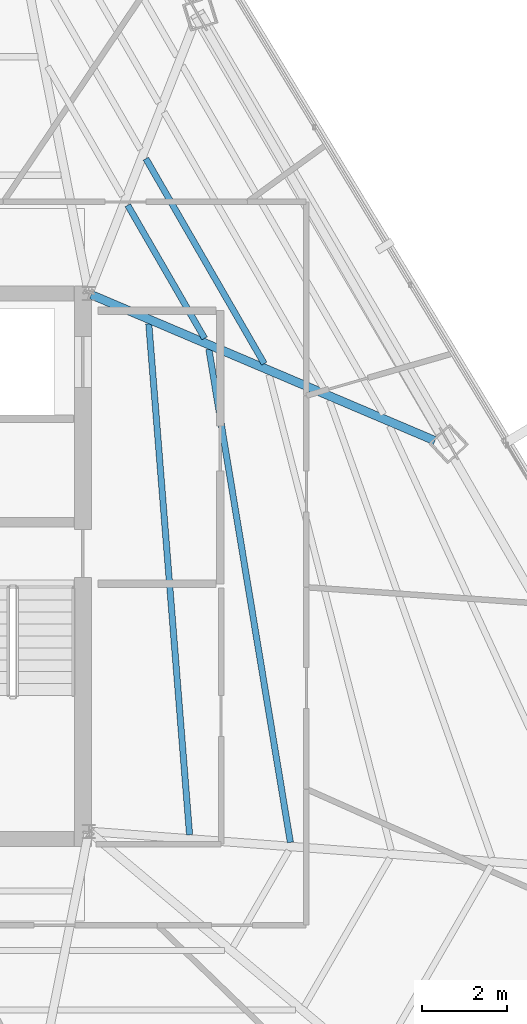
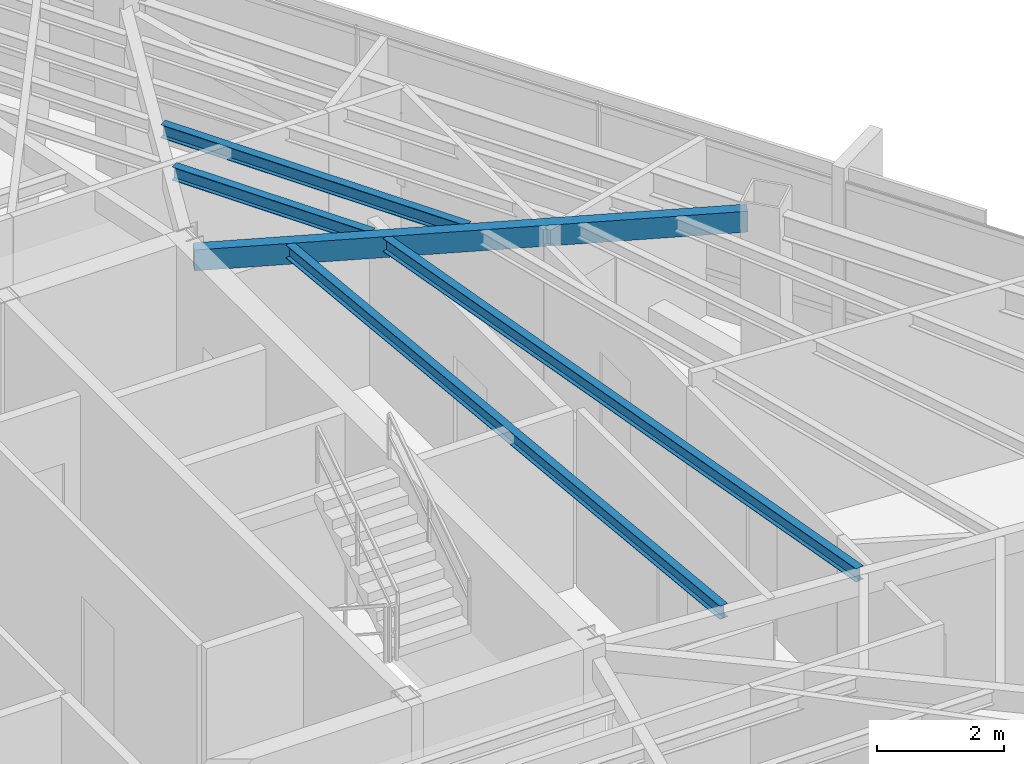
# One storey, part 27 of 46: 5 beams.
"""IFC4 building model written with IfcOpenShell, lengths in metres."""

import ifcopenshell
import ifcopenshell.guid

model = None  # the IFC model being written
_history = None  # IfcOwnerHistory: only IFC2X3 demands one
_inside = {}  # id of a spatial element -> (the spatial element, [elements in it])
_under = {}  # id of a project, library or spatial element -> (it, [spatial elements below it])
_declared = {}  # id of a project -> (the project, [libraries it declares])
_typed = {}  # id of a type object -> (the type object, [elements of that type])
_made_of = {}  # id of a material, layer set ... -> (it, [elements and type objects made of it])


def new_model(schema):
    """Start an empty IFC model of exactly this schema.

    Asked for "IFC4X3", IfcOpenShell would pick the latest addendum, in which some entities
    have other attributes; the version numbers below select the first issue.
    IFC2X3 requires an IfcOwnerHistory on every rooted entity: one is made here for all.
    """
    global model, _history
    if schema == "IFC4X3":
        model = ifcopenshell.file(schema_version=(4, 3, 0, 0))
    else:
        model = ifcopenshell.file(schema=schema)
    _inside.clear()
    _under.clear()
    _declared.clear()
    _typed.clear()
    _made_of.clear()
    _history = None
    if model.schema == "IFC2X3":
        org = make("IfcOrganization", Name="unknown")
        user = make(
            "IfcPersonAndOrganization",
            ThePerson=make("IfcPerson", FamilyName="unknown"),
            TheOrganization=org,
        )
        app = make(
            "IfcApplication",
            ApplicationDeveloper=org,
            Version="unknown",
            ApplicationFullName="unknown",
            ApplicationIdentifier="unknown",
        )
        _history = make(
            "IfcOwnerHistory",
            OwningUser=user,
            OwningApplication=app,
            ChangeAction="ADDED",
            CreationDate=0,
        )
    return model


def make(cls, **values):
    """One entity of the class cls with the attributes given. An attribute that is None is left unset."""
    return model.create_entity(
        cls, **{name: value for name, value in values.items() if value is not None}
    )


def rooted(cls, **values):
    """An entity with a GlobalId (a new one), such as an element, a storey or a relation."""
    return make(cls, GlobalId=ifcopenshell.guid.new(), OwnerHistory=_history, **values)


def si_unit(unit_type, name, prefix=None):
    """IfcSIUnit, for example si_unit("LENGTHUNIT", "METRE", prefix="MILLI")."""
    return make("IfcSIUnit", UnitType=unit_type, Prefix=prefix, Name=name)


def assignment(units):
    """IfcUnitAssignment: the units of a project."""
    return None if units is None else make("IfcUnitAssignment", Units=units)


def point(xyz):
    """IfcCartesianPoint."""
    return None if xyz is None else make("IfcCartesianPoint", Coordinates=xyz)


def direction(xyz):
    """IfcDirection."""
    return None if xyz is None else make("IfcDirection", DirectionRatios=xyz)


def frame(location, z_axis=None, x_axis=None):
    """IfcAxis2Placement3D, a coordinate frame: its origin and axes. An axis left out is left unset."""
    return make(
        "IfcAxis2Placement3D",
        Location=point(location),
        Axis=direction(z_axis),
        RefDirection=direction(x_axis),
    )


def frame_2d(location, x_axis=None):
    """IfcAxis2Placement2D, a coordinate frame in the plane: its origin and x axis."""
    return make(
        "IfcAxis2Placement2D", Location=point(location), RefDirection=direction(x_axis)
    )


def origin():
    """The frame at (0, 0, 0) with its axes left unset."""
    return frame((0.0, 0.0, 0.0))


def origin_2d():
    """The frame at (0, 0) in the plane with its x axis left unset."""
    return frame_2d((0.0, 0.0))


def place(relative_to, where):
    """IfcLocalPlacement: puts the frame where relative to a parent placement (None: the world)."""
    return make(
        "IfcLocalPlacement", PlacementRelTo=relative_to, RelativePlacement=where
    )


def context(
    kind, dimensions, precision=None, world=None, true_north=None, identifier=None
):
    """IfcGeometricRepresentationContext, for example the 3D "Model" context."""
    return make(
        "IfcGeometricRepresentationContext",
        ContextIdentifier=identifier,
        ContextType=kind,
        CoordinateSpaceDimension=dimensions,
        Precision=precision,
        WorldCoordinateSystem=world,
        TrueNorth=true_north,
    )


def subcontext(parent, identifier, kind, view, scale=None):
    """IfcGeometricRepresentationSubContext, for example "Body" below "Model"."""
    return make(
        "IfcGeometricRepresentationSubContext",
        ContextIdentifier=identifier,
        ContextType=kind,
        ParentContext=parent,
        TargetScale=scale,
        TargetView=view,
    )


def project(units=None, contexts=None):
    """IfcProject with its units and contexts."""
    return rooted(
        "IfcProject",
        Name="project",
        RepresentationContexts=contexts,
        UnitsInContext=assignment(units),
    )


def spatial(cls, under=None, at=None, **own):
    """A site, building, storey or space (cls), placed at a placement, below another one or the project."""
    s = rooted(cls, ObjectPlacement=at, **own)
    if under is not None:
        _under.setdefault(under.id(), (under, []))[1].append(s)
    return s


def profile(cls, at=None, kind="AREA", **sizes):
    """A parametric profile (cls). Its sizes go by their IFC names, for example OverallWidth=200.0."""
    return make(cls, ProfileType=kind, Position=at, **sizes)


def hollow_rectangle(**sizes):
    """IfcRectangleHollowProfileDef."""
    return profile("IfcRectangleHollowProfileDef", **sizes)


def i_section(**sizes):
    """IfcIShapeProfileDef."""
    return profile("IfcIShapeProfileDef", **sizes)


def extrude(swept, where, along, depth):
    """IfcExtrudedAreaSolid: the profile swept, set in the frame where, extruded along a direction by depth."""
    return make(
        "IfcExtrudedAreaSolid",
        SweptArea=swept,
        Position=where,
        ExtrudedDirection=direction(along),
        Depth=depth,
    )


def shape(context_of_items, identifier, shape_type, items):
    """IfcShapeRepresentation: the items that make up one representation, for example the "Body"."""
    return make(
        "IfcShapeRepresentation",
        ContextOfItems=context_of_items,
        RepresentationIdentifier=identifier,
        RepresentationType=shape_type,
        Items=items,
    )


def source(mapping_origin, context_of_items, identifier, shape_type, items):
    """IfcRepresentationMap: a shape defined once, which mapped items show again and again."""
    return make(
        "IfcRepresentationMap",
        MappingOrigin=mapping_origin,
        MappedRepresentation=shape(context_of_items, identifier, shape_type, items),
    )


def transform(
    local_origin,
    x_axis=None,
    y_axis=None,
    z_axis=None,
    scale=None,
    scale2=None,
    scale3=None,
    uniform=True,
):
    """IfcCartesianTransformationOperator3D, or its non-uniform kind. x_axis, y_axis, z_axis: its Axis1, 2, 3."""
    if uniform:
        return make(
            "IfcCartesianTransformationOperator3D",
            Axis1=direction(x_axis),
            Axis2=direction(y_axis),
            LocalOrigin=point(local_origin),
            Scale=scale,
            Axis3=direction(z_axis),
        )
    return make(
        "IfcCartesianTransformationOperator3DnonUniform",
        Axis1=direction(x_axis),
        Axis2=direction(y_axis),
        LocalOrigin=point(local_origin),
        Scale=scale,
        Axis3=direction(z_axis),
        Scale2=scale2,
        Scale3=scale3,
    )


def mapped(mapping_source, mapping_target):
    """IfcMappedItem: shows the shape of a source again, moved by a transform."""
    return make(
        "IfcMappedItem", MappingSource=mapping_source, MappingTarget=mapping_target
    )


def material(Name=None, Category=None):
    """IfcMaterial."""
    return make("IfcMaterial", Name=Name, Category=Category)


def material_profile(
    of_material, cross_section, Name=None, Category=None, Priority=None
):
    """IfcMaterialProfile: a cross section and its material."""
    return make(
        "IfcMaterialProfile",
        Name=Name,
        Material=of_material,
        Profile=cross_section,
        Priority=Priority,
        Category=Category,
    )


def profile_set(profiles, Name=None, composite=None):
    """IfcMaterialProfileSet."""
    return make(
        "IfcMaterialProfileSet",
        Name=Name,
        MaterialProfiles=profiles,
        CompositeProfile=composite,
    )


def made_of(thing, what):
    """Note that an element or type object is made of a material, layer set ...; save() writes the relation."""
    if what is not None:
        _made_of.setdefault(what.id(), (what, []))[1].append(thing)
    return thing


def type_object(cls, material=None, **own):
    """A type object (cls), such as IfcWallType, which elements share."""
    return made_of(rooted(cls, **own), material)


def type_shapes(of_type, sources):
    """Give a type object the sources (RepresentationMaps) that its elements show as mapped items."""
    of_type.RepresentationMaps = sources


def element(
    cls,
    number,
    at=None,
    inside=None,
    cuts=None,
    type_object=None,
    material=None,
    context=None,
    identifier="Body",
    shape_type=None,
    held_by="IfcProductDefinitionShape",
    body=None,
    shapes=None,
    **own,
):
    """One element of the class cls, such as IfcWall. Its Tag is "e" and its number.

    at: its placement. inside: the storey or other place that contains it. cuts: it is an
    opening in that element (IfcRelVoidsElement). A single representation is given by context,
    identifier, shape_type and body (its items); several are given by shapes. held_by: the class
    of the entity that holds the representations. save() writes the other relations.
    """
    e = rooted(cls, Tag="e%d" % number, ObjectPlacement=at, **own)
    if body is not None:
        shapes = [shape(context, identifier, shape_type, body)]
    if shapes is not None:
        e.Representation = make(held_by, Representations=shapes)
    if inside is not None:
        _inside.setdefault(inside.id(), (inside, []))[1].append(e)
    if cuts is not None:
        rooted(
            "IfcRelVoidsElement", RelatingBuildingElement=cuts, RelatedOpeningElement=e
        )
    if type_object is not None:
        _typed.setdefault(type_object.id(), (type_object, []))[1].append(e)
    return made_of(e, material)


def aggregate(whole, parts):
    """IfcRelAggregates: a whole, such as a stair, and the parts it consists of."""
    return rooted("IfcRelAggregates", RelatingObject=whole, RelatedObjects=parts)


def save(model, path):
    """Write the relations noted so far, then the file.

    IfcRelAggregates (storeys below a building ...), IfcRelContainedInSpatialStructure (elements
    in a storey), IfcRelDefinesByType, IfcRelAssociatesMaterial and IfcRelDeclares: one each for
    every whole, place, type object, material and project.
    """
    for whole, parts in _under.values():
        aggregate(whole, parts)
    for where, things in _inside.values():
        rooted(
            "IfcRelContainedInSpatialStructure",
            RelatedElements=things,
            RelatingStructure=where,
        )
    for kind, things in _typed.values():
        rooted("IfcRelDefinesByType", RelatedObjects=things, RelatingType=kind)
    for what, things in _made_of.values():
        rooted("IfcRelAssociatesMaterial", RelatedObjects=things, RelatingMaterial=what)
    for by, libraries in _declared.values():
        rooted("IfcRelDeclares", RelatingContext=by, RelatedDefinitions=libraries)
    model.write(path)


model = new_model("IFC4")

# Units and contexts
model_context = context("Model", 3, precision=1e-05, world=origin(), true_north=direction((0.0, 1.0)))
body_context = subcontext(model_context, "Body", "Model", "MODEL_VIEW")
ifc_project = project(units=[si_unit("LENGTHUNIT", "METRE"), si_unit("AREAUNIT", "SQUARE_METRE"), si_unit("VOLUMEUNIT", "CUBIC_METRE"), si_unit("PLANEANGLEUNIT", "RADIAN"), si_unit("MASSUNIT", "GRAM", prefix="KILO")], contexts=[model_context])

# Site, building, storey
site_placement = place(None, origin())
site = spatial("IfcSite", under=ifc_project, at=site_placement, CompositionType="ELEMENT")
building_placement = place(site_placement, origin())
building = spatial("IfcBuilding", under=site, at=building_placement, Name="Caelisora Broadcast Tower", CompositionType="ELEMENT")
storey_placement = place(building_placement, frame((0.0, 0.0, 237.14990234375)))
storey = spatial("IfcBuildingStorey", under=building, at=storey_placement, Name="L62", CompositionType="ELEMENT", Elevation=237.14990234375)

# Beams
ifc_material_1 = material(Name="Steel Grade 350 (AS/NZS 1163 C350L0)", Category="steel")
ifc_material_profile_1 = material_profile(ifc_material_1, hollow_rectangle(XDim=0.199951171875, YDim=0.39990234375, WallThickness=0.012451171875, at=origin_2d()), Name="Steel Grade 350 (AS/NZS 1163 C350L0)")
ifc_profile_set_1 = profile_set([ifc_material_profile_1], Name="Steel Grade 350 (AS/NZS 1163 C350L0)")
beam_type_1 = type_object("IfcBeamType", Name="PG07", PredefinedType="BEAM", material=ifc_profile_set_1)
shared_shape_1 = source(origin(), body_context, "Body", "SweptSolid", [
    extrude(hollow_rectangle(XDim=0.199951171875, YDim=0.39990234375, WallThickness=0.012451171875, at=origin_2d()), origin(), (0.0, 0.0, 1.0), 8.755859375),
])
type_shapes(beam_type_1, [shared_shape_1])
beam_1_placement = place(storey_placement, frame((45.55517578125, 29.9765625, 3.2001953125), z_axis=(0.920340704597, -0.391117613336, 0.0), x_axis=(0.391117613336, 0.920340704597, 0.0)))
element("IfcBeam", 1, at=beam_1_placement, inside=storey, type_object=beam_type_1, Name="L62 beam PG07", PredefinedType="BEAM", context=body_context, shape_type="MappedRepresentation", body=[
    mapped(shared_shape_1, transform((0.0, 0.0, 0.0), scale=1.0)),
])
ifc_material_2 = material(Name="Steel Grade 350 (AS/NZS 3679.1)", Category="steel")
ifc_material_profile_2 = material_profile(ifc_material_2, i_section(OverallWidth=0.14599609375, OverallDepth=0.256103515625, WebThickness=0.00634765625, FlangeThickness=0.010986328125, at=origin_2d()), Name="Steel Grade 350 (AS/NZS 3679.1)")
ifc_profile_set_2 = profile_set([ifc_material_profile_2], Name="Steel Grade 350 (AS/NZS 3679.1)")
beam_type_2 = type_object("IfcBeamType", Name="SB04", PredefinedType="JOIST", material=ifc_profile_set_2)
shared_shape_2 = source(origin(), body_context, "Body", "SweptSolid", [
    extrude(i_section(OverallWidth=0.14599609375, OverallDepth=0.256103515625, WebThickness=0.00634765625, FlangeThickness=0.010986328125, at=origin_2d()), origin(), (0.0, 0.0, 1.0), 3.601318359375),
])
beam_2_placement = place(storey_placement, frame((48.21435546875, 28.953369140625, 3.27197265625), z_axis=(-0.500047166535, 0.86599817046, 0.0), x_axis=(-0.86599817046, -0.500047166535, 0.0)))
element("IfcBeam", 2, at=beam_2_placement, inside=storey, type_object=beam_type_2, Name="L62 beam SB04", PredefinedType="JOIST", context=body_context, shape_type="MappedRepresentation", body=[
    mapped(shared_shape_2, transform((0.0, 0.0, 0.0), scale=1.0)),
])
shared_shape_3 = source(origin(), body_context, "Body", "SweptSolid", [
    extrude(i_section(OverallWidth=0.14599609375, OverallDepth=0.256103515625, WebThickness=0.00634765625, FlangeThickness=0.010986328125, at=origin_2d()), origin(), (0.0, 0.0, 1.0), 5.54638671875),
])
beam_3_placement = place(storey_placement, frame((49.6123046875, 28.359130859375, 3.27197265625), z_axis=(-0.500006959451, 0.866021385706, 0.0), x_axis=(-0.866021385706, -0.500006959451, 0.0)))
element("IfcBeam", 3, at=beam_3_placement, inside=storey, type_object=beam_type_2, Name="L62 beam SB04", PredefinedType="JOIST", context=body_context, shape_type="MappedRepresentation", body=[
    mapped(shared_shape_3, transform((0.0, 0.0, 0.0), scale=1.0)),
])
shared_shape_4 = source(origin(), body_context, "Body", "SweptSolid", [
    extrude(i_section(OverallWidth=0.14599609375, OverallDepth=0.256103515625, WebThickness=0.00634765625, FlangeThickness=0.010986328125, at=origin_2d()), origin(), (0.0, 0.0, 1.0), 12.014892578125),
])
beam_4_placement = place(storey_placement, frame((47.862548828125, 17.319580078125, 3.27197265625), z_axis=(-0.0795521984, 0.996830701639, 0.0), x_axis=(-0.996830701639, -0.0795521984, 0.0)))
element("IfcBeam", 4, at=beam_4_placement, inside=storey, type_object=beam_type_2, Name="L62 beam SB04", PredefinedType="JOIST", context=body_context, shape_type="MappedRepresentation", body=[
    mapped(shared_shape_4, transform((0.0, 0.0, 0.0), scale=1.0)),
])
shared_shape_5 = source(origin(), body_context, "Body", "SweptSolid", [
    extrude(i_section(OverallWidth=0.14599609375, OverallDepth=0.256103515625, WebThickness=0.00634765625, FlangeThickness=0.010986328125, at=origin_2d()), origin(), (0.0, 0.0, 1.0), 11.712890625),
])
type_shapes(beam_type_2, [shared_shape_2, shared_shape_3, shared_shape_4, shared_shape_5])
beam_5_placement = place(storey_placement, frame((50.224609375, 17.141845703125, 3.27197265625), z_axis=(-0.163060331853, 0.986616099694, 0.0), x_axis=(-0.986616099694, -0.163060331853, 0.0)))
element("IfcBeam", 5, at=beam_5_placement, inside=storey, type_object=beam_type_2, Name="L62 beam SB04", PredefinedType="JOIST", context=body_context, shape_type="MappedRepresentation", body=[
    mapped(shared_shape_5, transform((0.0, 0.0, 0.0), scale=1.0)),
])

save(model, "model.ifc")
